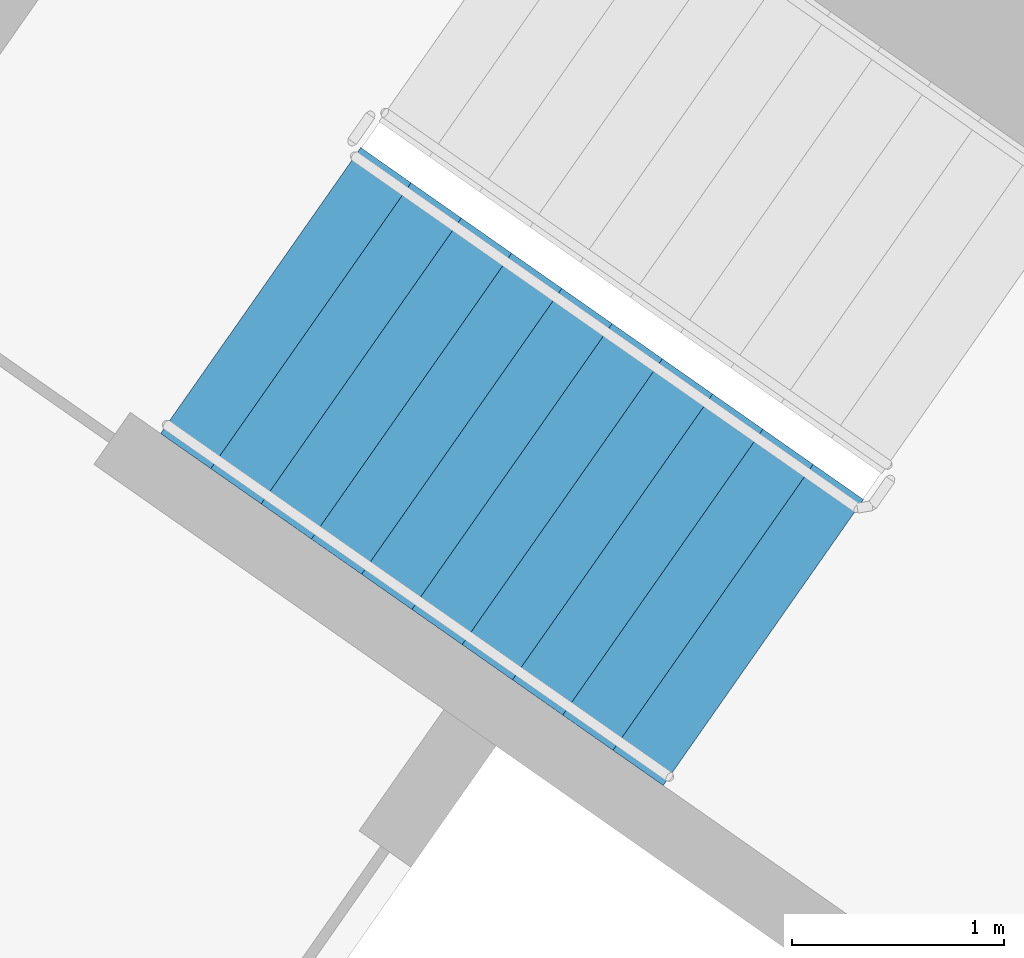
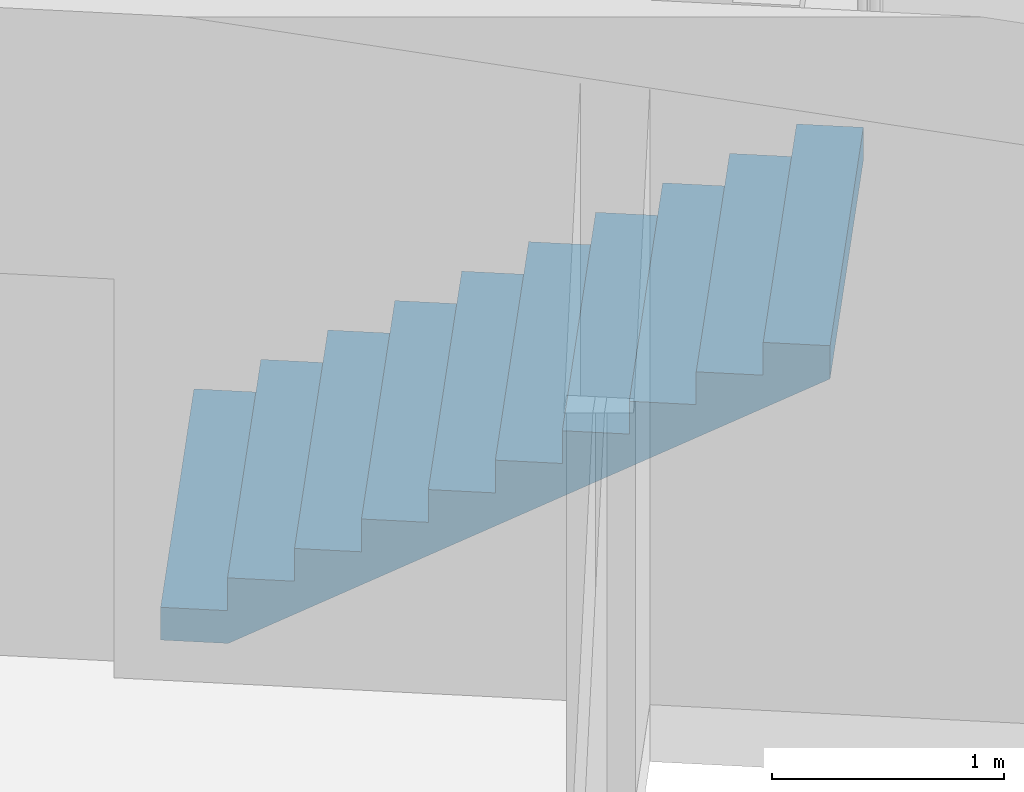
# One storey, part 12 of 28: 1 stair flight, 1 element without a shape of its own.
"""IFC4 building model written with IfcOpenShell, lengths in metres."""

import ifcopenshell
import ifcopenshell.guid

model = None  # the IFC model being written
_history = None  # IfcOwnerHistory: only IFC2X3 demands one
_inside = {}  # id of a spatial element -> (the spatial element, [elements in it])
_under = {}  # id of a project, library or spatial element -> (it, [spatial elements below it])
_declared = {}  # id of a project -> (the project, [libraries it declares])
_typed = {}  # id of a type object -> (the type object, [elements of that type])
_made_of = {}  # id of a material, layer set ... -> (it, [elements and type objects made of it])


def new_model(schema):
    """Start an empty IFC model of exactly this schema.

    Asked for "IFC4X3", IfcOpenShell would pick the latest addendum, in which some entities
    have other attributes; the version numbers below select the first issue.
    IFC2X3 requires an IfcOwnerHistory on every rooted entity: one is made here for all.
    """
    global model, _history
    if schema == "IFC4X3":
        model = ifcopenshell.file(schema_version=(4, 3, 0, 0))
    else:
        model = ifcopenshell.file(schema=schema)
    _inside.clear()
    _under.clear()
    _declared.clear()
    _typed.clear()
    _made_of.clear()
    _history = None
    if model.schema == "IFC2X3":
        org = make("IfcOrganization", Name="unknown")
        user = make(
            "IfcPersonAndOrganization",
            ThePerson=make("IfcPerson", FamilyName="unknown"),
            TheOrganization=org,
        )
        app = make(
            "IfcApplication",
            ApplicationDeveloper=org,
            Version="unknown",
            ApplicationFullName="unknown",
            ApplicationIdentifier="unknown",
        )
        _history = make(
            "IfcOwnerHistory",
            OwningUser=user,
            OwningApplication=app,
            ChangeAction="ADDED",
            CreationDate=0,
        )
    return model


def make(cls, **values):
    """One entity of the class cls with the attributes given. An attribute that is None is left unset."""
    return model.create_entity(
        cls, **{name: value for name, value in values.items() if value is not None}
    )


def rooted(cls, **values):
    """An entity with a GlobalId (a new one), such as an element, a storey or a relation."""
    return make(cls, GlobalId=ifcopenshell.guid.new(), OwnerHistory=_history, **values)


def si_unit(unit_type, name, prefix=None):
    """IfcSIUnit, for example si_unit("LENGTHUNIT", "METRE", prefix="MILLI")."""
    return make("IfcSIUnit", UnitType=unit_type, Prefix=prefix, Name=name)


def assignment(units):
    """IfcUnitAssignment: the units of a project."""
    return None if units is None else make("IfcUnitAssignment", Units=units)


def point(xyz):
    """IfcCartesianPoint."""
    return None if xyz is None else make("IfcCartesianPoint", Coordinates=xyz)


def direction(xyz):
    """IfcDirection."""
    return None if xyz is None else make("IfcDirection", DirectionRatios=xyz)


def frame(location, z_axis=None, x_axis=None):
    """IfcAxis2Placement3D, a coordinate frame: its origin and axes. An axis left out is left unset."""
    return make(
        "IfcAxis2Placement3D",
        Location=point(location),
        Axis=direction(z_axis),
        RefDirection=direction(x_axis),
    )


def origin():
    """The frame at (0, 0, 0) with its axes left unset."""
    return frame((0.0, 0.0, 0.0))


def place(relative_to, where):
    """IfcLocalPlacement: puts the frame where relative to a parent placement (None: the world)."""
    return make(
        "IfcLocalPlacement", PlacementRelTo=relative_to, RelativePlacement=where
    )


def context(
    kind, dimensions, precision=None, world=None, true_north=None, identifier=None
):
    """IfcGeometricRepresentationContext, for example the 3D "Model" context."""
    return make(
        "IfcGeometricRepresentationContext",
        ContextIdentifier=identifier,
        ContextType=kind,
        CoordinateSpaceDimension=dimensions,
        Precision=precision,
        WorldCoordinateSystem=world,
        TrueNorth=true_north,
    )


def subcontext(parent, identifier, kind, view, scale=None):
    """IfcGeometricRepresentationSubContext, for example "Body" below "Model"."""
    return make(
        "IfcGeometricRepresentationSubContext",
        ContextIdentifier=identifier,
        ContextType=kind,
        ParentContext=parent,
        TargetScale=scale,
        TargetView=view,
    )


def project(units=None, contexts=None):
    """IfcProject with its units and contexts."""
    return rooted(
        "IfcProject",
        Name="project",
        RepresentationContexts=contexts,
        UnitsInContext=assignment(units),
    )


def spatial(cls, under=None, at=None, **own):
    """A site, building, storey or space (cls), placed at a placement, below another one or the project."""
    s = rooted(cls, ObjectPlacement=at, **own)
    if under is not None:
        _under.setdefault(under.id(), (under, []))[1].append(s)
    return s


def faces_of(points, faces, orient=None, outer=None):
    """IfcFace entities. A face is a list of loops; a loop is a list of indices into points, from 0.

    orient and outer hold one flag for each loop. By default every Orientation is true, the
    first loop of a face is its IfcFaceOuterBound and the others are IfcFaceBound.
    """
    made = []
    for i, loops in enumerate(faces):
        bounds = []
        for j, loop in enumerate(loops):
            is_outer = j == 0 if outer is None else outer[i][j]
            bounds.append(
                make(
                    "IfcFaceOuterBound" if is_outer else "IfcFaceBound",
                    Bound=make("IfcPolyLoop", Polygon=[points[k] for k in loop]),
                    Orientation=True if orient is None else orient[i][j],
                )
            )
        made.append(make("IfcFace", Bounds=bounds))
    return made


def faceted_brep(points, faces, orient=None, outer=None, voids=None):
    """IfcFacetedBrep: a solid bounded by flat faces; with voids (closed shells), ...WithVoids."""
    shared = [point(p) for p in points]
    hull = make("IfcClosedShell", CfsFaces=faces_of(shared, faces, orient, outer))
    if voids is None:
        return make("IfcFacetedBrep", Outer=hull)
    return make(
        "IfcFacetedBrepWithVoids",
        Outer=hull,
        Voids=[
            make(cls, CfsFaces=faces_of(shared, fs, o, b)) for cls, fs, o, b in voids
        ],
    )


def shape(context_of_items, identifier, shape_type, items):
    """IfcShapeRepresentation: the items that make up one representation, for example the "Body"."""
    return make(
        "IfcShapeRepresentation",
        ContextOfItems=context_of_items,
        RepresentationIdentifier=identifier,
        RepresentationType=shape_type,
        Items=items,
    )


def material(Name=None, Category=None):
    """IfcMaterial."""
    return make("IfcMaterial", Name=Name, Category=Category)


def made_of(thing, what):
    """Note that an element or type object is made of a material, layer set ...; save() writes the relation."""
    if what is not None:
        _made_of.setdefault(what.id(), (what, []))[1].append(thing)
    return thing


def type_object(cls, material=None, **own):
    """A type object (cls), such as IfcWallType, which elements share."""
    return made_of(rooted(cls, **own), material)


def element(
    cls,
    number,
    at=None,
    inside=None,
    cuts=None,
    type_object=None,
    material=None,
    context=None,
    identifier="Body",
    shape_type=None,
    held_by="IfcProductDefinitionShape",
    body=None,
    shapes=None,
    **own,
):
    """One element of the class cls, such as IfcWall. Its Tag is "e" and its number.

    at: its placement. inside: the storey or other place that contains it. cuts: it is an
    opening in that element (IfcRelVoidsElement). A single representation is given by context,
    identifier, shape_type and body (its items); several are given by shapes. held_by: the class
    of the entity that holds the representations. save() writes the other relations.
    """
    e = rooted(cls, Tag="e%d" % number, ObjectPlacement=at, **own)
    if body is not None:
        shapes = [shape(context, identifier, shape_type, body)]
    if shapes is not None:
        e.Representation = make(held_by, Representations=shapes)
    if inside is not None:
        _inside.setdefault(inside.id(), (inside, []))[1].append(e)
    if cuts is not None:
        rooted(
            "IfcRelVoidsElement", RelatingBuildingElement=cuts, RelatedOpeningElement=e
        )
    if type_object is not None:
        _typed.setdefault(type_object.id(), (type_object, []))[1].append(e)
    return made_of(e, material)


def aggregate(whole, parts):
    """IfcRelAggregates: a whole, such as a stair, and the parts it consists of."""
    return rooted("IfcRelAggregates", RelatingObject=whole, RelatedObjects=parts)


def save(model, path):
    """Write the relations noted so far, then the file.

    IfcRelAggregates (storeys below a building ...), IfcRelContainedInSpatialStructure (elements
    in a storey), IfcRelDefinesByType, IfcRelAssociatesMaterial and IfcRelDeclares: one each for
    every whole, place, type object, material and project.
    """
    for whole, parts in _under.values():
        aggregate(whole, parts)
    for where, things in _inside.values():
        rooted(
            "IfcRelContainedInSpatialStructure",
            RelatedElements=things,
            RelatingStructure=where,
        )
    for kind, things in _typed.values():
        rooted("IfcRelDefinesByType", RelatedObjects=things, RelatingType=kind)
    for what, things in _made_of.values():
        rooted("IfcRelAssociatesMaterial", RelatedObjects=things, RelatingMaterial=what)
    for by, libraries in _declared.values():
        rooted("IfcRelDeclares", RelatingContext=by, RelatedDefinitions=libraries)
    model.write(path)


model = new_model("IFC4")

# Units and contexts
model_context = context("Model", 3, precision=1e-05, world=origin(), true_north=direction((0.0, 1.0)))
body_context = subcontext(model_context, "Body", "Model", "MODEL_VIEW")
ifc_project = project(units=[si_unit("LENGTHUNIT", "METRE"), si_unit("AREAUNIT", "SQUARE_METRE"), si_unit("VOLUMEUNIT", "CUBIC_METRE"), si_unit("PLANEANGLEUNIT", "RADIAN"), si_unit("MASSUNIT", "GRAM", prefix="KILO")], contexts=[model_context])

# Site, building, storey
site_placement = place(None, origin())
site = spatial("IfcSite", under=ifc_project, at=site_placement, CompositionType="ELEMENT")
building_placement = place(site_placement, origin())
building = spatial("IfcBuilding", under=site, at=building_placement, Name="Qamariyya Broadcast Tower", CompositionType="ELEMENT")
storey_placement = place(building_placement, frame((0.0, 0.0, 234.10009765625)))
storey = spatial("IfcBuildingStorey", under=building, at=storey_placement, Name="L56", CompositionType="ELEMENT", Elevation=234.10009765625)

# Stair, stair flight
ifc_material = material(Name="Concrete C50/60", Category="concrete")
stair_type = type_object("IfcStairType", Name="Exit stair 22 risers of 173 mm", PredefinedType="HALF_TURN_STAIR", material=ifc_material)
stair_placement = place(storey_placement, origin())
stair = element("IfcStair", 1, at=stair_placement, inside=storey, type_object=stair_type, Name="L56 Stair W2", PredefinedType="HALF_TURN_STAIR")
stair_flight_type = type_object("IfcStairFlightType", Name="Exit stair flight 11 risers of 173 mm", PredefinedType="STRAIGHT", material=ifc_material)
stair_flight_placement = place(storey_placement, frame((-41.59130859375, -49.15966796875, 0.0), z_axis=(0.0, 0.0, 1.0), x_axis=(0.819152044289, -0.573576436351, 0.0)))
stair_flight = element("IfcStairFlight", 2, at=stair_flight_placement, type_object=stair_flight_type, Name="ST-W2 flight 1", NumberOfRisers=11, NumberOfTreads=10, PredefinedType="STRAIGHT", RiserHeight=0.172727273, TreadLength=0.29, context=body_context, shape_type="Brep", body=[
    faceted_brep([(0.0, 0.824951171875, 0.0), (0.0, 0.824951171875, 0.172607421875), (0.2900390625, 0.824951171875, 0.172607421875), (0.2900390625, 0.824951171875, 0.345458984375), (0.580078125, 0.824951171875, 0.345458984375), (0.580078125, 0.824951171875, 0.51806640625), (0.8701171875, 0.824951171875, 0.51806640625), (0.8701171875, 0.824951171875, 0.69091796875), (1.159912109375, 0.824951171875, 0.69091796875), (1.159912109375, 0.824951171875, 0.863525390625), (1.449951171875, 0.824951171875, 0.863525390625), (1.449951171875, 0.824951171875, 1.036376953125), (1.739990234375, 0.824951171875, 1.036376953125), (1.739990234375, 0.824951171875, 1.208984375), (2.030029296875, 0.824951171875, 1.208984375), (2.030029296875, 0.824951171875, 1.3818359375), (2.320068359375, 0.824951171875, 1.3818359375), (2.320068359375, 0.824951171875, 1.554443359375), (2.610107421875, 0.824951171875, 1.554443359375), (2.610107421875, 0.824951171875, 1.727294921875), (2.89990234375, 0.824951171875, 1.727294921875), (2.89990234375, 0.824951171875, 1.552734375), (0.29296875, 0.824951171875, 0.0), (0.29296875, -0.824951171875, 0.0), (2.89990234375, -0.824951171875, 1.552734375), (2.89990234375, -0.824951171875, 1.727294921875), (2.610107421875, -0.824951171875, 1.727294921875), (2.610107421875, -0.824951171875, 1.554443359375), (2.320068359375, -0.824951171875, 1.554443359375), (2.320068359375, -0.824951171875, 1.3818359375), (2.030029296875, -0.824951171875, 1.3818359375), (2.030029296875, -0.824951171875, 1.208984375), (1.739990234375, -0.824951171875, 1.208984375), (1.739990234375, -0.824951171875, 1.036376953125), (1.449951171875, -0.824951171875, 1.036376953125), (1.449951171875, -0.824951171875, 0.863525390625), (1.159912109375, -0.824951171875, 0.863525390625), (1.159912109375, -0.824951171875, 0.69091796875), (0.8701171875, -0.824951171875, 0.69091796875), (0.8701171875, -0.824951171875, 0.51806640625), (0.580078125, -0.824951171875, 0.51806640625), (0.580078125, -0.824951171875, 0.345458984375), (0.2900390625, -0.824951171875, 0.345458984375), (0.2900390625, -0.824951171875, 0.172607421875), (0.0, -0.824951171875, 0.172607421875), (0.0, -0.824951171875, 0.0), (0.0, 0.10009765625, 0.0), (0.0, 0.086669921875, 0.0), (0.0, 0.0732421875, 0.0), (0.0, 0.06005859375, 0.0), (0.0, 0.046630859375, 0.0), (0.0, 0.033447265625, 0.0), (0.0, 0.02001953125, 0.0), (0.0, 0.006591796875, 0.0), (0.0, -0.006591796875, 0.0), (0.0, -0.02001953125, 0.0), (0.0, -0.033447265625, 0.0), (0.0, -0.046630859375, 0.0), (0.0, -0.06005859375, 0.0), (0.0, -0.0732421875, 0.0), (0.0, -0.086669921875, 0.0), (0.0, -0.10009765625, 0.0), (0.0, -0.10009765625, 0.172607421875), (0.0, -0.086669921875, 0.172607421875), (0.0, -0.0732421875, 0.172607421875), (0.0, -0.06005859375, 0.172607421875), (0.0, -0.046630859375, 0.172607421875), (0.0, -0.033447265625, 0.172607421875), (0.0, -0.02001953125, 0.172607421875), (0.0, -0.006591796875, 0.172607421875), (0.0, 0.006591796875, 0.172607421875), (0.0, 0.02001953125, 0.172607421875), (0.0, 0.033447265625, 0.172607421875), (0.0, 0.046630859375, 0.172607421875), (0.0, 0.06005859375, 0.172607421875), (0.0, 0.0732421875, 0.172607421875), (0.0, 0.086669921875, 0.172607421875), (0.0, 0.10009765625, 0.172607421875), (0.2900390625, -0.10009765625, 0.172607421875), (0.2900390625, -0.086669921875, 0.172607421875), (0.2900390625, -0.0732421875, 0.172607421875), (0.2900390625, -0.06005859375, 0.172607421875), (0.2900390625, -0.046630859375, 0.172607421875), (0.2900390625, -0.033447265625, 0.172607421875), (0.2900390625, -0.02001953125, 0.172607421875), (0.2900390625, -0.006591796875, 0.172607421875), (0.2900390625, 0.006591796875, 0.172607421875), (0.2900390625, 0.02001953125, 0.172607421875), (0.2900390625, 0.033447265625, 0.172607421875), (0.2900390625, 0.046630859375, 0.172607421875), (0.2900390625, 0.06005859375, 0.172607421875), (0.2900390625, 0.0732421875, 0.172607421875), (0.2900390625, 0.086669921875, 0.172607421875), (0.2900390625, 0.10009765625, 0.172607421875), (0.2900390625, -0.10009765625, 0.345458984375), (0.2900390625, -0.086669921875, 0.345458984375), (0.2900390625, -0.0732421875, 0.345458984375), (0.2900390625, -0.06005859375, 0.345458984375), (0.2900390625, -0.046630859375, 0.345458984375), (0.2900390625, -0.033447265625, 0.345458984375), (0.2900390625, -0.02001953125, 0.345458984375), (0.2900390625, -0.006591796875, 0.345458984375), (0.2900390625, 0.006591796875, 0.345458984375), (0.2900390625, 0.02001953125, 0.345458984375), (0.2900390625, 0.033447265625, 0.345458984375), (0.2900390625, 0.046630859375, 0.345458984375), (0.2900390625, 0.06005859375, 0.345458984375), (0.2900390625, 0.0732421875, 0.345458984375), (0.2900390625, 0.086669921875, 0.345458984375), (0.2900390625, 0.10009765625, 0.345458984375), (0.580078125, -0.10009765625, 0.345458984375), (0.580078125, -0.086669921875, 0.345458984375), (0.580078125, -0.0732421875, 0.345458984375), (0.580078125, -0.06005859375, 0.345458984375), (0.580078125, -0.046630859375, 0.345458984375), (0.580078125, -0.033447265625, 0.345458984375), (0.580078125, -0.02001953125, 0.345458984375), (0.580078125, -0.006591796875, 0.345458984375), (0.580078125, 0.006591796875, 0.345458984375), (0.580078125, 0.02001953125, 0.345458984375), (0.580078125, 0.033447265625, 0.345458984375), (0.580078125, 0.046630859375, 0.345458984375), (0.580078125, 0.06005859375, 0.345458984375), (0.580078125, 0.0732421875, 0.345458984375), (0.580078125, 0.086669921875, 0.345458984375), (0.580078125, 0.10009765625, 0.345458984375), (0.580078125, -0.10009765625, 0.51806640625), (0.580078125, -0.086669921875, 0.51806640625), (0.580078125, -0.0732421875, 0.51806640625), (0.580078125, -0.06005859375, 0.51806640625), (0.580078125, -0.046630859375, 0.51806640625), (0.580078125, -0.033447265625, 0.51806640625), (0.580078125, -0.02001953125, 0.51806640625), (0.580078125, -0.006591796875, 0.51806640625), (0.580078125, 0.006591796875, 0.51806640625), (0.580078125, 0.02001953125, 0.51806640625), (0.580078125, 0.033447265625, 0.51806640625), (0.580078125, 0.046630859375, 0.51806640625), (0.580078125, 0.06005859375, 0.51806640625), (0.580078125, 0.0732421875, 0.51806640625), (0.580078125, 0.086669921875, 0.51806640625), (0.580078125, 0.10009765625, 0.51806640625), (0.8701171875, -0.10009765625, 0.51806640625), (0.8701171875, -0.086669921875, 0.51806640625), (0.8701171875, -0.0732421875, 0.51806640625), (0.8701171875, -0.06005859375, 0.51806640625), (0.8701171875, -0.046630859375, 0.51806640625), (0.8701171875, -0.033447265625, 0.51806640625), (0.8701171875, -0.02001953125, 0.51806640625), (0.8701171875, -0.006591796875, 0.51806640625), (0.8701171875, 0.006591796875, 0.51806640625), (0.8701171875, 0.02001953125, 0.51806640625), (0.8701171875, 0.033447265625, 0.51806640625), (0.8701171875, 0.046630859375, 0.51806640625), (0.8701171875, 0.06005859375, 0.51806640625), (0.8701171875, 0.0732421875, 0.51806640625), (0.8701171875, 0.086669921875, 0.51806640625), (0.8701171875, 0.10009765625, 0.51806640625), (0.8701171875, -0.10009765625, 0.69091796875), (0.8701171875, -0.086669921875, 0.69091796875), (0.8701171875, -0.0732421875, 0.69091796875), (0.8701171875, -0.06005859375, 0.69091796875), (0.8701171875, -0.046630859375, 0.69091796875), (0.8701171875, -0.033447265625, 0.69091796875), (0.8701171875, -0.02001953125, 0.69091796875), (0.8701171875, -0.006591796875, 0.69091796875), (0.8701171875, 0.006591796875, 0.69091796875), (0.8701171875, 0.02001953125, 0.69091796875), (0.8701171875, 0.033447265625, 0.69091796875), (0.8701171875, 0.046630859375, 0.69091796875), (0.8701171875, 0.06005859375, 0.69091796875), (0.8701171875, 0.0732421875, 0.69091796875), (0.8701171875, 0.086669921875, 0.69091796875), (0.8701171875, 0.10009765625, 0.69091796875), (1.159912109375, -0.10009765625, 0.69091796875), (1.159912109375, -0.086669921875, 0.69091796875), (1.159912109375, -0.0732421875, 0.69091796875), (1.159912109375, -0.06005859375, 0.69091796875), (1.159912109375, -0.046630859375, 0.69091796875), (1.159912109375, -0.033447265625, 0.69091796875), (1.159912109375, -0.02001953125, 0.69091796875), (1.159912109375, -0.006591796875, 0.69091796875), (1.159912109375, 0.006591796875, 0.69091796875), (1.159912109375, 0.02001953125, 0.69091796875), (1.159912109375, 0.033447265625, 0.69091796875), (1.159912109375, 0.046630859375, 0.69091796875), (1.159912109375, 0.06005859375, 0.69091796875), (1.159912109375, 0.0732421875, 0.69091796875), (1.159912109375, 0.086669921875, 0.69091796875), (1.159912109375, 0.10009765625, 0.69091796875), (1.159912109375, -0.10009765625, 0.863525390625), (1.159912109375, -0.086669921875, 0.863525390625), (1.159912109375, -0.0732421875, 0.863525390625), (1.159912109375, -0.06005859375, 0.863525390625), (1.159912109375, -0.046630859375, 0.863525390625), (1.159912109375, -0.033447265625, 0.863525390625), (1.159912109375, -0.02001953125, 0.863525390625), (1.159912109375, -0.006591796875, 0.863525390625), (1.159912109375, 0.006591796875, 0.863525390625), (1.159912109375, 0.02001953125, 0.863525390625), (1.159912109375, 0.033447265625, 0.863525390625), (1.159912109375, 0.046630859375, 0.863525390625), (1.159912109375, 0.06005859375, 0.863525390625), (1.159912109375, 0.0732421875, 0.863525390625), (1.159912109375, 0.086669921875, 0.863525390625), (1.159912109375, 0.10009765625, 0.863525390625), (1.449951171875, -0.10009765625, 0.863525390625), (1.449951171875, -0.086669921875, 0.863525390625), (1.449951171875, -0.0732421875, 0.863525390625), (1.449951171875, -0.06005859375, 0.863525390625), (1.449951171875, -0.046630859375, 0.863525390625), (1.449951171875, -0.033447265625, 0.863525390625), (1.449951171875, -0.02001953125, 0.863525390625), (1.449951171875, -0.006591796875, 0.863525390625), (1.449951171875, 0.006591796875, 0.863525390625), (1.449951171875, 0.02001953125, 0.863525390625), (1.449951171875, 0.033447265625, 0.863525390625), (1.449951171875, 0.046630859375, 0.863525390625), (1.449951171875, 0.06005859375, 0.863525390625), (1.449951171875, 0.0732421875, 0.863525390625), (1.449951171875, 0.086669921875, 0.863525390625), (1.449951171875, 0.10009765625, 0.863525390625), (1.449951171875, -0.10009765625, 1.036376953125), (1.449951171875, -0.086669921875, 1.036376953125), (1.449951171875, -0.0732421875, 1.036376953125), (1.449951171875, -0.06005859375, 1.036376953125), (1.449951171875, -0.046630859375, 1.036376953125), (1.449951171875, -0.033447265625, 1.036376953125), (1.449951171875, -0.02001953125, 1.036376953125), (1.449951171875, -0.006591796875, 1.036376953125), (1.449951171875, 0.006591796875, 1.036376953125), (1.449951171875, 0.02001953125, 1.036376953125), (1.449951171875, 0.033447265625, 1.036376953125), (1.449951171875, 0.046630859375, 1.036376953125), (1.449951171875, 0.06005859375, 1.036376953125), (1.449951171875, 0.0732421875, 1.036376953125), (1.449951171875, 0.086669921875, 1.036376953125), (1.449951171875, 0.10009765625, 1.036376953125), (1.739990234375, -0.10009765625, 1.036376953125), (1.739990234375, -0.086669921875, 1.036376953125), (1.739990234375, -0.0732421875, 1.036376953125), (1.739990234375, -0.06005859375, 1.036376953125), (1.739990234375, -0.046630859375, 1.036376953125), (1.739990234375, -0.033447265625, 1.036376953125), (1.739990234375, -0.02001953125, 1.036376953125), (1.739990234375, -0.006591796875, 1.036376953125), (1.739990234375, 0.006591796875, 1.036376953125), (1.739990234375, 0.02001953125, 1.036376953125), (1.739990234375, 0.033447265625, 1.036376953125), (1.739990234375, 0.046630859375, 1.036376953125), (1.739990234375, 0.06005859375, 1.036376953125), (1.739990234375, 0.0732421875, 1.036376953125), (1.739990234375, 0.086669921875, 1.036376953125), (1.739990234375, 0.10009765625, 1.036376953125), (1.739990234375, -0.10009765625, 1.208984375), (1.739990234375, -0.086669921875, 1.208984375), (1.739990234375, -0.0732421875, 1.208984375), (1.739990234375, -0.06005859375, 1.208984375), (1.739990234375, -0.046630859375, 1.208984375), (1.739990234375, -0.033447265625, 1.208984375), (1.739990234375, -0.02001953125, 1.208984375), (1.739990234375, -0.006591796875, 1.208984375), (1.739990234375, 0.006591796875, 1.208984375), (1.739990234375, 0.02001953125, 1.208984375), (1.739990234375, 0.033447265625, 1.208984375), (1.739990234375, 0.046630859375, 1.208984375), (1.739990234375, 0.06005859375, 1.208984375), (1.739990234375, 0.0732421875, 1.208984375), (1.739990234375, 0.086669921875, 1.208984375), (1.739990234375, 0.10009765625, 1.208984375), (2.030029296875, -0.10009765625, 1.208984375), (2.030029296875, -0.086669921875, 1.208984375), (2.030029296875, -0.0732421875, 1.208984375), (2.030029296875, -0.06005859375, 1.208984375), (2.030029296875, -0.046630859375, 1.208984375), (2.030029296875, -0.033447265625, 1.208984375), (2.030029296875, -0.02001953125, 1.208984375), (2.030029296875, -0.006591796875, 1.208984375), (2.030029296875, 0.006591796875, 1.208984375), (2.030029296875, 0.02001953125, 1.208984375), (2.030029296875, 0.033447265625, 1.208984375), (2.030029296875, 0.046630859375, 1.208984375), (2.030029296875, 0.06005859375, 1.208984375), (2.030029296875, 0.0732421875, 1.208984375), (2.030029296875, 0.086669921875, 1.208984375), (2.030029296875, 0.10009765625, 1.208984375), (2.030029296875, -0.10009765625, 1.3818359375), (2.030029296875, -0.086669921875, 1.3818359375), (2.030029296875, -0.0732421875, 1.3818359375), (2.030029296875, -0.06005859375, 1.3818359375), (2.030029296875, -0.046630859375, 1.3818359375), (2.030029296875, -0.033447265625, 1.3818359375), (2.030029296875, -0.02001953125, 1.3818359375), (2.030029296875, -0.006591796875, 1.3818359375), (2.030029296875, 0.006591796875, 1.3818359375), (2.030029296875, 0.02001953125, 1.3818359375), (2.030029296875, 0.033447265625, 1.3818359375), (2.030029296875, 0.046630859375, 1.3818359375), (2.030029296875, 0.06005859375, 1.3818359375), (2.030029296875, 0.0732421875, 1.3818359375), (2.030029296875, 0.086669921875, 1.3818359375), (2.030029296875, 0.10009765625, 1.3818359375), (2.320068359375, -0.10009765625, 1.3818359375), (2.320068359375, -0.086669921875, 1.3818359375), (2.320068359375, -0.0732421875, 1.3818359375), (2.320068359375, -0.06005859375, 1.3818359375), (2.320068359375, -0.046630859375, 1.3818359375), (2.320068359375, -0.033447265625, 1.3818359375), (2.320068359375, -0.02001953125, 1.3818359375), (2.320068359375, -0.006591796875, 1.3818359375), (2.320068359375, 0.006591796875, 1.3818359375), (2.320068359375, 0.02001953125, 1.3818359375), (2.320068359375, 0.033447265625, 1.3818359375), (2.320068359375, 0.046630859375, 1.3818359375), (2.320068359375, 0.06005859375, 1.3818359375), (2.320068359375, 0.0732421875, 1.3818359375), (2.320068359375, 0.086669921875, 1.3818359375), (2.320068359375, 0.10009765625, 1.3818359375), (2.320068359375, -0.10009765625, 1.554443359375), (2.320068359375, -0.086669921875, 1.554443359375), (2.320068359375, -0.0732421875, 1.554443359375), (2.320068359375, -0.06005859375, 1.554443359375), (2.320068359375, -0.046630859375, 1.554443359375), (2.320068359375, -0.033447265625, 1.554443359375), (2.320068359375, -0.02001953125, 1.554443359375), (2.320068359375, -0.006591796875, 1.554443359375), (2.320068359375, 0.006591796875, 1.554443359375), (2.320068359375, 0.02001953125, 1.554443359375), (2.320068359375, 0.033447265625, 1.554443359375), (2.320068359375, 0.046630859375, 1.554443359375), (2.320068359375, 0.06005859375, 1.554443359375), (2.320068359375, 0.0732421875, 1.554443359375), (2.320068359375, 0.086669921875, 1.554443359375), (2.320068359375, 0.10009765625, 1.554443359375), (2.610107421875, -0.10009765625, 1.554443359375), (2.610107421875, -0.086669921875, 1.554443359375), (2.610107421875, -0.0732421875, 1.554443359375), (2.610107421875, -0.06005859375, 1.554443359375), (2.610107421875, -0.046630859375, 1.554443359375), (2.610107421875, -0.033447265625, 1.554443359375), (2.610107421875, -0.02001953125, 1.554443359375), (2.610107421875, -0.006591796875, 1.554443359375), (2.610107421875, 0.006591796875, 1.554443359375), (2.610107421875, 0.02001953125, 1.554443359375), (2.610107421875, 0.033447265625, 1.554443359375), (2.610107421875, 0.046630859375, 1.554443359375), (2.610107421875, 0.06005859375, 1.554443359375), (2.610107421875, 0.0732421875, 1.554443359375), (2.610107421875, 0.086669921875, 1.554443359375), (2.610107421875, 0.10009765625, 1.554443359375), (2.610107421875, -0.10009765625, 1.727294921875), (2.610107421875, -0.086669921875, 1.727294921875), (2.610107421875, -0.0732421875, 1.727294921875), (2.610107421875, -0.06005859375, 1.727294921875), (2.610107421875, -0.046630859375, 1.727294921875), (2.610107421875, -0.033447265625, 1.727294921875), (2.610107421875, -0.02001953125, 1.727294921875), (2.610107421875, -0.006591796875, 1.727294921875), (2.610107421875, 0.006591796875, 1.727294921875), (2.610107421875, 0.02001953125, 1.727294921875), (2.610107421875, 0.033447265625, 1.727294921875), (2.610107421875, 0.046630859375, 1.727294921875), (2.610107421875, 0.06005859375, 1.727294921875), (2.610107421875, 0.0732421875, 1.727294921875), (2.610107421875, 0.086669921875, 1.727294921875), (2.610107421875, 0.10009765625, 1.727294921875), (2.89990234375, -0.10009765625, 1.727294921875), (2.89990234375, -0.086669921875, 1.727294921875), (2.89990234375, -0.0732421875, 1.727294921875), (2.89990234375, -0.06005859375, 1.727294921875), (2.89990234375, -0.046630859375, 1.727294921875), (2.89990234375, -0.033447265625, 1.727294921875), (2.89990234375, -0.02001953125, 1.727294921875), (2.89990234375, -0.006591796875, 1.727294921875), (2.89990234375, 0.006591796875, 1.727294921875), (2.89990234375, 0.02001953125, 1.727294921875), (2.89990234375, 0.033447265625, 1.727294921875), (2.89990234375, 0.046630859375, 1.727294921875), (2.89990234375, 0.06005859375, 1.727294921875), (2.89990234375, 0.0732421875, 1.727294921875), (2.89990234375, 0.086669921875, 1.727294921875), (2.89990234375, 0.10009765625, 1.727294921875), (2.89990234375, -0.10009765625, 1.552734375), (2.89990234375, -0.086669921875, 1.552734375), (2.89990234375, -0.0732421875, 1.552734375), (2.89990234375, -0.06005859375, 1.552734375), (2.89990234375, -0.046630859375, 1.552734375), (2.89990234375, -0.033447265625, 1.552734375), (2.89990234375, -0.02001953125, 1.552734375), (2.89990234375, -0.006591796875, 1.552734375), (2.89990234375, 0.006591796875, 1.552734375), (2.89990234375, 0.02001953125, 1.552734375), (2.89990234375, 0.033447265625, 1.552734375), (2.89990234375, 0.046630859375, 1.552734375), (2.89990234375, 0.06005859375, 1.552734375), (2.89990234375, 0.0732421875, 1.552734375), (2.89990234375, 0.086669921875, 1.552734375), (2.89990234375, 0.10009765625, 1.552734375), (0.29296875, -0.10009765625, 0.0), (0.29296875, -0.086669921875, 0.0), (0.29296875, -0.0732421875, 0.0), (0.29296875, -0.06005859375, 0.0), (0.29296875, -0.046630859375, 0.0), (0.29296875, -0.033447265625, 0.0), (0.29296875, -0.02001953125, 0.0), (0.29296875, -0.006591796875, 0.0), (0.29296875, 0.006591796875, 0.0), (0.29296875, 0.02001953125, 0.0), (0.29296875, 0.033447265625, 0.0), (0.29296875, 0.046630859375, 0.0), (0.29296875, 0.06005859375, 0.0), (0.29296875, 0.0732421875, 0.0), (0.29296875, 0.086669921875, 0.0), (0.29296875, 0.10009765625, 0.0)], [[[0, 1, 2, 3, 4, 5, 6, 7, 8, 9, 10, 11, 12, 13, 14, 15, 16, 17, 18, 19, 20, 21, 22]], [[23, 24, 25, 26, 27, 28, 29, 30, 31, 32, 33, 34, 35, 36, 37, 38, 39, 40, 41, 42, 43, 44, 45]], [[0, 46, 47, 48, 49, 50, 51, 52, 53, 54, 55, 56, 57, 58, 59, 60, 61, 45, 44, 62, 63, 64, 65, 66, 67, 68, 69, 70, 71, 72, 73, 74, 75, 76, 77, 1]], [[1, 77, 76, 75, 74, 73, 72, 71, 70, 69, 68, 67, 66, 65, 64, 63, 62, 44, 43, 78, 79, 80, 81, 82, 83, 84, 85, 86, 87, 88, 89, 90, 91, 92, 93, 2]], [[2, 93, 92, 91, 90, 89, 88, 87, 86, 85, 84, 83, 82, 81, 80, 79, 78, 43, 42, 94, 95, 96, 97, 98, 99, 100, 101, 102, 103, 104, 105, 106, 107, 108, 109, 3]], [[3, 109, 108, 107, 106, 105, 104, 103, 102, 101, 100, 99, 98, 97, 96, 95, 94, 42, 41, 110, 111, 112, 113, 114, 115, 116, 117, 118, 119, 120, 121, 122, 123, 124, 125, 4]], [[4, 125, 124, 123, 122, 121, 120, 119, 118, 117, 116, 115, 114, 113, 112, 111, 110, 41, 40, 126, 127, 128, 129, 130, 131, 132, 133, 134, 135, 136, 137, 138, 139, 140, 141, 5]], [[5, 141, 140, 139, 138, 137, 136, 135, 134, 133, 132, 131, 130, 129, 128, 127, 126, 40, 39, 142, 143, 144, 145, 146, 147, 148, 149, 150, 151, 152, 153, 154, 155, 156, 157, 6]], [[6, 157, 156, 155, 154, 153, 152, 151, 150, 149, 148, 147, 146, 145, 144, 143, 142, 39, 38, 158, 159, 160, 161, 162, 163, 164, 165, 166, 167, 168, 169, 170, 171, 172, 173, 7]], [[7, 173, 172, 171, 170, 169, 168, 167, 166, 165, 164, 163, 162, 161, 160, 159, 158, 38, 37, 174, 175, 176, 177, 178, 179, 180, 181, 182, 183, 184, 185, 186, 187, 188, 189, 8]], [[8, 189, 188, 187, 186, 185, 184, 183, 182, 181, 180, 179, 178, 177, 176, 175, 174, 37, 36, 190, 191, 192, 193, 194, 195, 196, 197, 198, 199, 200, 201, 202, 203, 204, 205, 9]], [[9, 205, 204, 203, 202, 201, 200, 199, 198, 197, 196, 195, 194, 193, 192, 191, 190, 36, 35, 206, 207, 208, 209, 210, 211, 212, 213, 214, 215, 216, 217, 218, 219, 220, 221, 10]], [[10, 221, 220, 219, 218, 217, 216, 215, 214, 213, 212, 211, 210, 209, 208, 207, 206, 35, 34, 222, 223, 224, 225, 226, 227, 228, 229, 230, 231, 232, 233, 234, 235, 236, 237, 11]], [[11, 237, 236, 235, 234, 233, 232, 231, 230, 229, 228, 227, 226, 225, 224, 223, 222, 34, 33, 238, 239, 240, 241, 242, 243, 244, 245, 246, 247, 248, 249, 250, 251, 252, 253, 12]], [[12, 253, 252, 251, 250, 249, 248, 247, 246, 245, 244, 243, 242, 241, 240, 239, 238, 33, 32, 254, 255, 256, 257, 258, 259, 260, 261, 262, 263, 264, 265, 266, 267, 268, 269, 13]], [[13, 269, 268, 267, 266, 265, 264, 263, 262, 261, 260, 259, 258, 257, 256, 255, 254, 32, 31, 270, 271, 272, 273, 274, 275, 276, 277, 278, 279, 280, 281, 282, 283, 284, 285, 14]], [[14, 285, 284, 283, 282, 281, 280, 279, 278, 277, 276, 275, 274, 273, 272, 271, 270, 31, 30, 286, 287, 288, 289, 290, 291, 292, 293, 294, 295, 296, 297, 298, 299, 300, 301, 15]], [[15, 301, 300, 299, 298, 297, 296, 295, 294, 293, 292, 291, 290, 289, 288, 287, 286, 30, 29, 302, 303, 304, 305, 306, 307, 308, 309, 310, 311, 312, 313, 314, 315, 316, 317, 16]], [[16, 317, 316, 315, 314, 313, 312, 311, 310, 309, 308, 307, 306, 305, 304, 303, 302, 29, 28, 318, 319, 320, 321, 322, 323, 324, 325, 326, 327, 328, 329, 330, 331, 332, 333, 17]], [[17, 333, 332, 331, 330, 329, 328, 327, 326, 325, 324, 323, 322, 321, 320, 319, 318, 28, 27, 334, 335, 336, 337, 338, 339, 340, 341, 342, 343, 344, 345, 346, 347, 348, 349, 18]], [[18, 349, 348, 347, 346, 345, 344, 343, 342, 341, 340, 339, 338, 337, 336, 335, 334, 27, 26, 350, 351, 352, 353, 354, 355, 356, 357, 358, 359, 360, 361, 362, 363, 364, 365, 19]], [[19, 365, 364, 363, 362, 361, 360, 359, 358, 357, 356, 355, 354, 353, 352, 351, 350, 26, 25, 366, 367, 368, 369, 370, 371, 372, 373, 374, 375, 376, 377, 378, 379, 380, 381, 20]], [[20, 381, 380, 379, 378, 377, 376, 375, 374, 373, 372, 371, 370, 369, 368, 367, 366, 25, 24, 382, 383, 384, 385, 386, 387, 388, 389, 390, 391, 392, 393, 394, 395, 396, 397, 21]], [[21, 397, 396, 395, 394, 393, 392, 391, 390, 389, 388, 387, 386, 385, 384, 383, 382, 24, 23, 398, 399, 400, 401, 402, 403, 404, 405, 406, 407, 408, 409, 410, 411, 412, 413, 22]], [[22, 413, 412, 411, 410, 409, 408, 407, 406, 405, 404, 403, 402, 401, 400, 399, 398, 23, 45, 61, 60, 59, 58, 57, 56, 55, 54, 53, 52, 51, 50, 49, 48, 47, 46, 0]]]),
])
aggregate(stair, [stair_flight])

save(model, "model.ifc")
